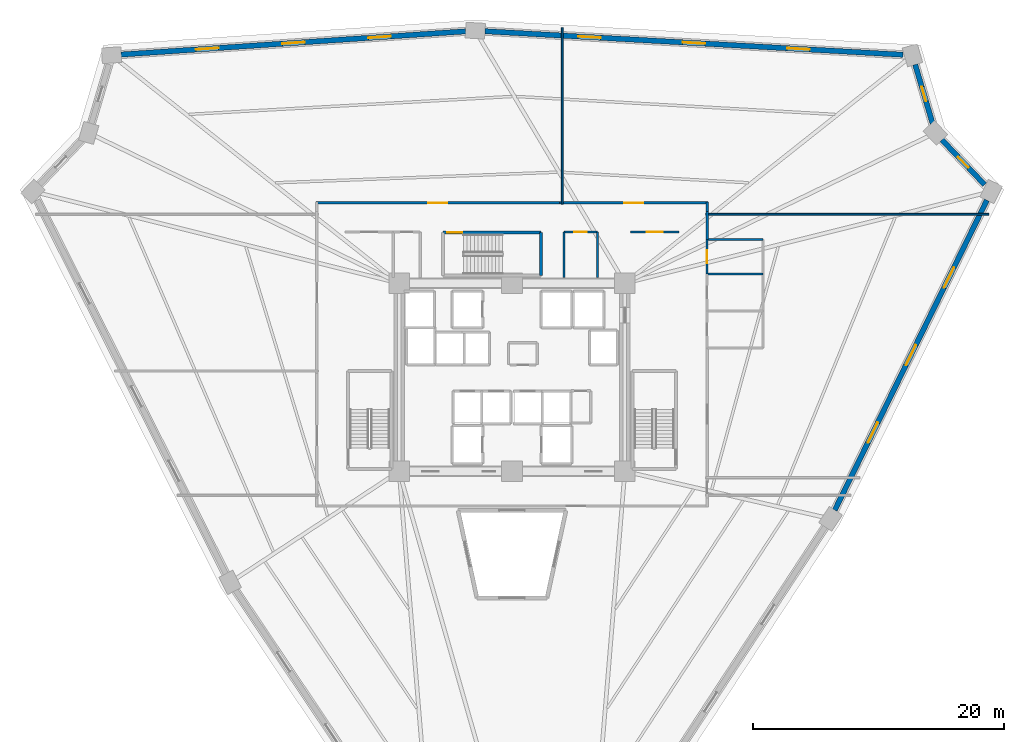
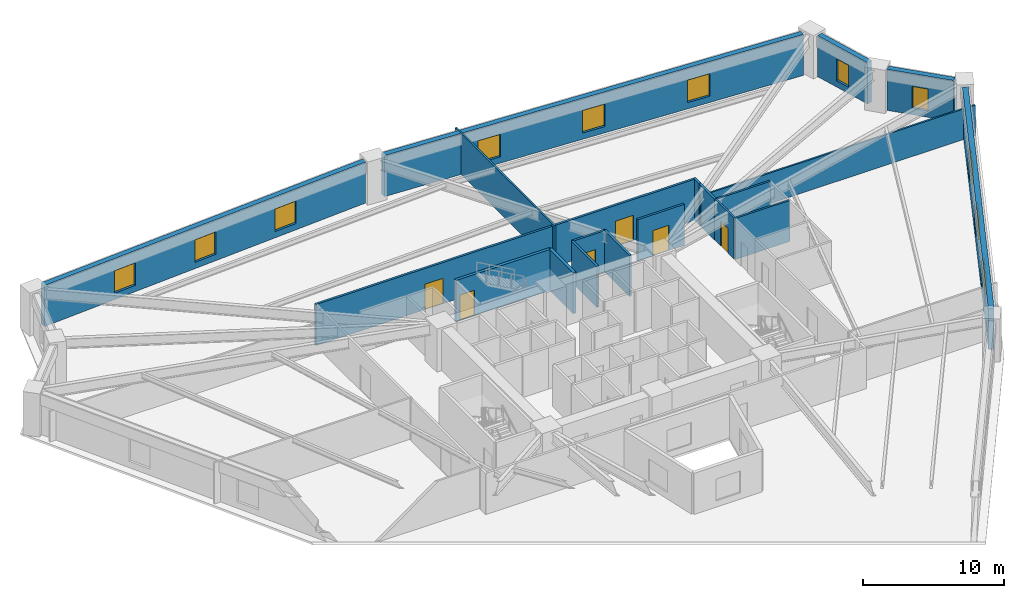
# One storey, part 6 of 8: 20 walls, 11 windows, 6 doors, 17 openings.
"""IFC4 building model written with IfcOpenShell, lengths in metres."""

from ifc_helpers import new_model, si_unit, direction, frame, frame_2d, origin, place, context, subcontext, project, spatial, rectangle, extrude, source, transform, mapped, material, layer, layer_set, type_object, element, fill, save


model = new_model("IFC4")

# Units and contexts
model_context = context("Model", 3, precision=1e-05, world=origin(), true_north=direction((0.0, 1.0)))
body_context = subcontext(model_context, "Body", "Model", "MODEL_VIEW")
ifc_project = project(units=[si_unit("LENGTHUNIT", "METRE"), si_unit("AREAUNIT", "SQUARE_METRE"), si_unit("VOLUMEUNIT", "CUBIC_METRE"), si_unit("PLANEANGLEUNIT", "RADIAN"), si_unit("MASSUNIT", "GRAM", prefix="KILO")], contexts=[model_context])

# Site, building, storey
site_placement = place(None, origin())
site = spatial("IfcSite", under=ifc_project, at=site_placement, CompositionType="ELEMENT")
building_placement = place(site_placement, origin())
building = spatial("IfcBuilding", under=site, at=building_placement, Name="Liaohun Quay Tower", CompositionType="ELEMENT")
storey_placement = place(building_placement, frame((0.0, 0.0, 66.75)))
storey = spatial("IfcBuildingStorey", under=building, at=storey_placement, Name="L17", CompositionType="ELEMENT", Elevation=66.75)

# Wall, openings, windows
ifc_material_1 = material(Name="Precast concrete C50 insulated sandwich", Category="concrete")
ifc_layer_1 = layer(ifc_material_1, 0.419921875, Name="Precast concrete C50 insulated sandwich", Category="concrete")
ifc_layer_set_1 = layer_set([ifc_layer_1], Name="Precast concrete C50 insulated sandwich")
wall_type_1 = type_object("IfcWallType", Name="WAL-EXT-Z12", PredefinedType="SOLIDWALL", material=ifc_layer_set_1)
wall_1_placement = place(storey_placement, frame((85.738037109375, 43.403076171875, 0.0), z_axis=(0.0, 0.0, 1.0), x_axis=(0.440623312768, 0.897692094343, 0.0)))
wall_1 = element("IfcWall", 1, at=wall_1_placement, inside=storey, type_object=wall_type_1, Name="L17 Brutalist Precast Pier Wall 03", PredefinedType="SOLIDWALL", context=body_context, shape_type="SweptSolid", body=[
    extrude(rectangle(XDim=27.538330078125, YDim=0.419921875, at=frame_2d((13.76904296875, 0.0))), origin(), (0.0, 0.0, 1.0), 3.570068359375),
])
shared_shape_1 = source(origin(), body_context, "Body", "SweptSolid", [
    extrude(rectangle(XDim=1.800048828125, YDim=1.949951171875, at=frame_2d((0.89990234375, 0.97509765625))), frame((0.0, 0.219970703125, 0.0), z_axis=(0.0, -1.0, 0.0), x_axis=(1.0, 0.0, 0.0)), (0.0, 0.0, 1.0), 0.43994140625),
])
opening_1_placement = place(wall_1_placement, frame((5.985107421875, 0.0, 0.550048828125)))
opening_1 = element("IfcOpeningElement", 2, at=opening_1_placement, cuts=wall_1, Name="Opening W01", PredefinedType="OPENING", context=body_context, shape_type="MappedRepresentation", body=[
    mapped(shared_shape_1, transform((0.0, 0.0, 0.0), x_axis=(1.0, 0.0, 0.0), y_axis=(0.0, 1.0, 0.0), z_axis=(0.0, 0.0, 1.0), scale=1.0)),
])
opening_2_placement = place(wall_1_placement, frame((12.868896484375, 0.0, 0.550048828125)))
opening_2 = element("IfcOpeningElement", 3, at=opening_2_placement, cuts=wall_1, Name="Opening W01", PredefinedType="OPENING", context=body_context, shape_type="MappedRepresentation", body=[
    mapped(shared_shape_1, transform((0.0, 0.0, 0.0), x_axis=(1.0, 0.0, 0.0), y_axis=(0.0, 1.0, 0.0), z_axis=(0.0, 0.0, 1.0), scale=1.0)),
])
opening_3_placement = place(wall_1_placement, frame((19.75390625, 0.0, 0.550048828125)))
opening_3 = element("IfcOpeningElement", 4, at=opening_3_placement, cuts=wall_1, Name="Opening W01", PredefinedType="OPENING", context=body_context, shape_type="MappedRepresentation", body=[
    mapped(shared_shape_1, transform((0.0, 0.0, 0.0), x_axis=(1.0, 0.0, 0.0), y_axis=(0.0, 1.0, 0.0), z_axis=(0.0, 0.0, 1.0), scale=1.0)),
])
ifc_material_2 = material(Name="Triple Low-E argon glazing in thermally broken aluminium", Category="aluminium")
window_type_1 = type_object("IfcWindowType", Name="WIN-PUN-Z1", PartitioningType="DOUBLE_PANEL_VERTICAL", PredefinedType="WINDOW", material=ifc_material_2)
shared_shape_2 = source(origin(), body_context, "Body", "SweptSolid", [
    extrude(rectangle(XDim=1.800048828125, YDim=1.949951171875, at=frame_2d((0.89990234375, 0.97509765625))), frame((0.0, 0.030029296875, 0.0), z_axis=(0.0, -1.0, 0.0), x_axis=(1.0, 0.0, 0.0)), (0.0, 0.0, 1.0), 0.06005859375),
])
window_1_placement = place(opening_1_placement, origin())
window_1 = element("IfcWindow", 5, at=window_1_placement, inside=storey, type_object=window_type_1, Name="L17 Recessed Cold-Climate Punched Window 03-1", OverallHeight=1.949951171875, OverallWidth=1.800048828125, PartitioningType="DOUBLE_PANEL_VERTICAL", PredefinedType="WINDOW", context=body_context, shape_type="MappedRepresentation", body=[
    mapped(shared_shape_2, transform((0.0, 0.0, 0.0), x_axis=(1.0, 0.0, 0.0), y_axis=(0.0, 1.0, 0.0), z_axis=(0.0, 0.0, 1.0), scale=1.0)),
])
fill(opening_1, window_1)
window_2_placement = place(opening_2_placement, origin())
window_2 = element("IfcWindow", 6, at=window_2_placement, inside=storey, type_object=window_type_1, Name="L17 Recessed Cold-Climate Punched Window 03-2", OverallHeight=1.949951171875, OverallWidth=1.800048828125, PartitioningType="DOUBLE_PANEL_VERTICAL", PredefinedType="WINDOW", context=body_context, shape_type="MappedRepresentation", body=[
    mapped(shared_shape_2, transform((0.0, 0.0, 0.0), x_axis=(1.0, 0.0, 0.0), y_axis=(0.0, 1.0, 0.0), z_axis=(0.0, 0.0, 1.0), scale=1.0)),
])
fill(opening_2, window_2)
window_3_placement = place(opening_3_placement, origin())
window_3 = element("IfcWindow", 7, at=window_3_placement, inside=storey, type_object=window_type_1, Name="L17 Recessed Cold-Climate Punched Window 03-3", OverallHeight=1.949951171875, OverallWidth=1.800048828125, PartitioningType="DOUBLE_PANEL_VERTICAL", PredefinedType="WINDOW", context=body_context, shape_type="MappedRepresentation", body=[
    mapped(shared_shape_2, transform((0.0, 0.0, 0.0), x_axis=(1.0, 0.0, 0.0), y_axis=(0.0, 1.0, 0.0), z_axis=(0.0, 0.0, 1.0), scale=1.0)),
])
fill(opening_3, window_3)

# Wall, opening, window
wall_2_placement = place(storey_placement, frame((97.681884765625, 69.364990234375, 0.0), z_axis=(0.0, 0.0, 1.0), x_axis=(-0.689227085511, 0.724545391675, 0.0)))
wall_2 = element("IfcWall", 8, at=wall_2_placement, inside=storey, type_object=wall_type_1, Name="L17 Brutalist Precast Pier Wall 04", PredefinedType="SOLIDWALL", context=body_context, shape_type="SweptSolid", body=[
    extrude(rectangle(XDim=4.9287109375, YDim=0.419921875, at=frame_2d((2.46435546875, 0.0))), origin(), (0.0, 0.0, 1.0), 3.570068359375),
])
shared_shape_3 = source(origin(), body_context, "Body", "SweptSolid", [
    extrude(rectangle(XDim=1.199951171875, YDim=1.89990234375, at=frame_2d((0.60009765625, 0.949951171875))), frame((0.0, 0.219970703125, 0.0), z_axis=(0.0, -1.0, 0.0), x_axis=(1.0, 0.0, 0.0)), (0.0, 0.0, 1.0), 0.43994140625),
])
opening_4_placement = place(wall_2_placement, frame((1.864013671875, 0.0, 0.550048828125)))
opening_4 = element("IfcOpeningElement", 9, at=opening_4_placement, cuts=wall_2, Name="Opening W05", PredefinedType="OPENING", context=body_context, shape_type="MappedRepresentation", body=[
    mapped(shared_shape_3, transform((0.0, 0.0, 0.0), x_axis=(1.0, 0.0, 0.0), y_axis=(0.0, 1.0, 0.0), z_axis=(0.0, 0.0, 1.0), scale=1.0)),
])
ifc_material_3 = material(Name="Triple Low-E corner notch glazing", Category="glass")
window_type_2 = type_object("IfcWindowType", Name="WIN-NOTCH", PartitioningType="SINGLE_PANEL", PredefinedType="WINDOW", material=ifc_material_3)
shared_shape_4 = source(origin(), body_context, "Body", "SweptSolid", [
    extrude(rectangle(XDim=1.199951171875, YDim=1.89990234375, at=frame_2d((0.60009765625, 0.949951171875))), frame((0.0, 0.030029296875, 0.0), z_axis=(0.0, -1.0, 0.0), x_axis=(1.0, 0.0, 0.0)), (0.0, 0.0, 1.0), 0.06005859375),
])
window_4_placement = place(opening_4_placement, origin())
window_4 = element("IfcWindow", 10, at=window_4_placement, inside=storey, type_object=window_type_2, Name="L17 Corner Notch Window W05-04", OverallHeight=1.89990234375, OverallWidth=1.199951171875, PartitioningType="SINGLE_PANEL", PredefinedType="WINDOW", context=body_context, shape_type="MappedRepresentation", body=[
    mapped(shared_shape_4, transform((0.0, 0.0, 0.0), x_axis=(1.0, 0.0, 0.0), y_axis=(0.0, 1.0, 0.0), z_axis=(0.0, 0.0, 1.0), scale=1.0)),
])
fill(opening_4, window_4)

wall_3_placement = place(storey_placement, frame((93.5419921875, 74.22412109375, 0.0), z_axis=(0.0, 0.0, 1.0), x_axis=(-0.282888780921, 0.959152718616, 0.0)))
wall_3 = element("IfcWall", 11, at=wall_3_placement, inside=storey, type_object=wall_type_1, Name="L17 Brutalist Precast Pier Wall 05", PredefinedType="SOLIDWALL", context=body_context, shape_type="SweptSolid", body=[
    extrude(rectangle(XDim=4.9208984375, YDim=0.419921875, at=frame_2d((2.46044921875, 0.0))), origin(), (0.0, 0.0, 1.0), 3.570068359375),
])
opening_5_placement = place(wall_3_placement, frame((1.860107421875, 0.0, 0.550048828125)))
opening_5 = element("IfcOpeningElement", 12, at=opening_5_placement, cuts=wall_3, Name="Opening W05", PredefinedType="OPENING", context=body_context, shape_type="MappedRepresentation", body=[
    mapped(shared_shape_3, transform((0.0, 0.0, 0.0), x_axis=(1.0, 0.0, 0.0), y_axis=(0.0, 1.0, 0.0), z_axis=(0.0, 0.0, 1.0), scale=1.0)),
])
window_5_placement = place(opening_5_placement, origin())
window_5 = element("IfcWindow", 13, at=window_5_placement, inside=storey, type_object=window_type_2, Name="L17 Corner Notch Window W05-05", OverallHeight=1.89990234375, OverallWidth=1.199951171875, PartitioningType="SINGLE_PANEL", PredefinedType="WINDOW", context=body_context, shape_type="MappedRepresentation", body=[
    mapped(shared_shape_4, transform((0.0, 0.0, 0.0), x_axis=(1.0, 0.0, 0.0), y_axis=(0.0, 1.0, 0.0), z_axis=(0.0, 0.0, 1.0), scale=1.0)),
])
fill(opening_5, window_5)

# Wall, openings, windows
wall_4_placement = place(storey_placement, frame((91.169921875, 79.720947265625, 0.0), z_axis=(0.0, 0.0, 1.0), x_axis=(-0.998420041746, 0.056190926675, 0.0)))
wall_4 = element("IfcWall", 14, at=wall_4_placement, inside=storey, type_object=wall_type_1, Name="L17 Brutalist Precast Pier Wall 06", PredefinedType="SOLIDWALL", context=body_context, shape_type="SweptSolid", body=[
    extrude(rectangle(XDim=33.3857421875, YDim=0.419921875, at=frame_2d((16.69287109375, 0.0))), origin(), (0.0, 0.0, 1.0), 3.570068359375),
])
opening_6_placement = place(wall_4_placement, frame((7.446044921875, 0.0, 0.550048828125)))
opening_6 = element("IfcOpeningElement", 15, at=opening_6_placement, cuts=wall_4, Name="Opening W01", PredefinedType="OPENING", context=body_context, shape_type="MappedRepresentation", body=[
    mapped(shared_shape_1, transform((0.0, 0.0, 0.0), x_axis=(1.0, 0.0, 0.0), y_axis=(0.0, 1.0, 0.0), z_axis=(0.0, 0.0, 1.0), scale=1.0)),
])
opening_7_placement = place(wall_4_placement, frame((15.79296875, 0.0, 0.550048828125)))
opening_7 = element("IfcOpeningElement", 16, at=opening_7_placement, cuts=wall_4, Name="Opening W01", PredefinedType="OPENING", context=body_context, shape_type="MappedRepresentation", body=[
    mapped(shared_shape_1, transform((0.0, 0.0, 0.0), x_axis=(1.0, 0.0, 0.0), y_axis=(0.0, 1.0, 0.0), z_axis=(0.0, 0.0, 1.0), scale=1.0)),
])
opening_8_placement = place(wall_4_placement, frame((24.138916015625, 0.0, 0.550048828125)))
opening_8 = element("IfcOpeningElement", 17, at=opening_8_placement, cuts=wall_4, Name="Opening W01", PredefinedType="OPENING", context=body_context, shape_type="MappedRepresentation", body=[
    mapped(shared_shape_1, transform((0.0, 0.0, 0.0), x_axis=(1.0, 0.0, 0.0), y_axis=(0.0, 1.0, 0.0), z_axis=(0.0, 0.0, 1.0), scale=1.0)),
])
window_6_placement = place(opening_6_placement, origin())
window_6 = element("IfcWindow", 18, at=window_6_placement, inside=storey, type_object=window_type_1, Name="L17 Recessed Cold-Climate Punched Window 06-1", OverallHeight=1.949951171875, OverallWidth=1.800048828125, PartitioningType="DOUBLE_PANEL_VERTICAL", PredefinedType="WINDOW", context=body_context, shape_type="MappedRepresentation", body=[
    mapped(shared_shape_2, transform((0.0, 0.0, 0.0), x_axis=(1.0, 0.0, 0.0), y_axis=(0.0, 1.0, 0.0), z_axis=(0.0, 0.0, 1.0), scale=1.0)),
])
fill(opening_6, window_6)
window_7_placement = place(opening_7_placement, origin())
window_7 = element("IfcWindow", 19, at=window_7_placement, inside=storey, type_object=window_type_1, Name="L17 Recessed Cold-Climate Punched Window 06-2", OverallHeight=1.949951171875, OverallWidth=1.800048828125, PartitioningType="DOUBLE_PANEL_VERTICAL", PredefinedType="WINDOW", context=body_context, shape_type="MappedRepresentation", body=[
    mapped(shared_shape_2, transform((0.0, 0.0, 0.0), x_axis=(1.0, 0.0, 0.0), y_axis=(0.0, 1.0, 0.0), z_axis=(0.0, 0.0, 1.0), scale=1.0)),
])
fill(opening_7, window_7)
window_8_placement = place(opening_8_placement, origin())
window_8 = element("IfcWindow", 20, at=window_8_placement, inside=storey, type_object=window_type_1, Name="L17 Recessed Cold-Climate Punched Window 06-3", OverallHeight=1.949951171875, OverallWidth=1.800048828125, PartitioningType="DOUBLE_PANEL_VERTICAL", PredefinedType="WINDOW", context=body_context, shape_type="MappedRepresentation", body=[
    mapped(shared_shape_2, transform((0.0, 0.0, 0.0), x_axis=(1.0, 0.0, 0.0), y_axis=(0.0, 1.0, 0.0), z_axis=(0.0, 0.0, 1.0), scale=1.0)),
])
fill(opening_8, window_8)

wall_5_placement = place(storey_placement, frame((56.31005859375, 81.589111328125, 0.0), z_axis=(0.0, 0.0, 1.0), x_axis=(-0.997734032959, -0.067281494306, 0.0)))
wall_5 = element("IfcWall", 21, at=wall_5_placement, inside=storey, type_object=wall_type_1, Name="L17 Brutalist Precast Pier Wall 07", PredefinedType="SOLIDWALL", context=body_context, shape_type="SweptSolid", body=[
    extrude(rectangle(XDim=27.54150390625, YDim=0.419921875, at=frame_2d((13.770751953125, 0.0))), origin(), (0.0, 0.0, 1.0), 3.570068359375),
])
opening_9_placement = place(wall_5_placement, frame((5.985107421875, 0.0, 0.550048828125)))
opening_9 = element("IfcOpeningElement", 22, at=opening_9_placement, cuts=wall_5, Name="Opening W01", PredefinedType="OPENING", context=body_context, shape_type="MappedRepresentation", body=[
    mapped(shared_shape_1, transform((0.0, 0.0, 0.0), x_axis=(1.0, 0.0, 0.0), y_axis=(0.0, 1.0, 0.0), z_axis=(0.0, 0.0, 1.0), scale=1.0)),
])
opening_10_placement = place(wall_5_placement, frame((12.87109375, 0.0, 0.550048828125)))
opening_10 = element("IfcOpeningElement", 23, at=opening_10_placement, cuts=wall_5, Name="Opening W01", PredefinedType="OPENING", context=body_context, shape_type="MappedRepresentation", body=[
    mapped(shared_shape_1, transform((0.0, 0.0, 0.0), x_axis=(1.0, 0.0, 0.0), y_axis=(0.0, 1.0, 0.0), z_axis=(0.0, 0.0, 1.0), scale=1.0)),
])
opening_11_placement = place(wall_5_placement, frame((19.756103515625, 0.0, 0.550048828125)))
opening_11 = element("IfcOpeningElement", 24, at=opening_11_placement, cuts=wall_5, Name="Opening W01", PredefinedType="OPENING", context=body_context, shape_type="MappedRepresentation", body=[
    mapped(shared_shape_1, transform((0.0, 0.0, 0.0), x_axis=(1.0, 0.0, 0.0), y_axis=(0.0, 1.0, 0.0), z_axis=(0.0, 0.0, 1.0), scale=1.0)),
])
window_9_placement = place(opening_9_placement, origin())
window_9 = element("IfcWindow", 25, at=window_9_placement, inside=storey, type_object=window_type_1, Name="L17 Recessed Cold-Climate Punched Window 07-1", OverallHeight=1.949951171875, OverallWidth=1.800048828125, PartitioningType="DOUBLE_PANEL_VERTICAL", PredefinedType="WINDOW", context=body_context, shape_type="MappedRepresentation", body=[
    mapped(shared_shape_2, transform((0.0, 0.0, 0.0), x_axis=(1.0, 0.0, 0.0), y_axis=(0.0, 1.0, 0.0), z_axis=(0.0, 0.0, 1.0), scale=1.0)),
])
fill(opening_9, window_9)
window_10_placement = place(opening_10_placement, origin())
window_10 = element("IfcWindow", 26, at=window_10_placement, inside=storey, type_object=window_type_1, Name="L17 Recessed Cold-Climate Punched Window 07-2", OverallHeight=1.949951171875, OverallWidth=1.800048828125, PartitioningType="DOUBLE_PANEL_VERTICAL", PredefinedType="WINDOW", context=body_context, shape_type="MappedRepresentation", body=[
    mapped(shared_shape_2, transform((0.0, 0.0, 0.0), x_axis=(1.0, 0.0, 0.0), y_axis=(0.0, 1.0, 0.0), z_axis=(0.0, 0.0, 1.0), scale=1.0)),
])
fill(opening_10, window_10)
window_11_placement = place(opening_11_placement, origin())
window_11 = element("IfcWindow", 27, at=window_11_placement, inside=storey, type_object=window_type_1, Name="L17 Recessed Cold-Climate Punched Window 07-3", OverallHeight=1.949951171875, OverallWidth=1.800048828125, PartitioningType="DOUBLE_PANEL_VERTICAL", PredefinedType="WINDOW", context=body_context, shape_type="MappedRepresentation", body=[
    mapped(shared_shape_2, transform((0.0, 0.0, 0.0), x_axis=(1.0, 0.0, 0.0), y_axis=(0.0, 1.0, 0.0), z_axis=(0.0, 0.0, 1.0), scale=1.0)),
])
fill(opening_11, window_11)

# Wall, opening, door
ifc_material_4 = material(Name="Autoclaved aerated concrete blockwork", Category="masonry")
ifc_layer_2 = layer(ifc_material_4, 0.179931640625, Name="Autoclaved aerated concrete blockwork", Category="masonry")
ifc_layer_set_2 = layer_set([ifc_layer_2], Name="Autoclaved aerated concrete blockwork")
wall_type_2 = type_object("IfcWallType", Name="WAL-PRT-COR", PredefinedType="PARTITIONING", material=ifc_layer_set_2)
wall_6_placement = place(storey_placement, frame((64.139892578125, 65.580078125, 0.0), z_axis=(0.0, 0.0, 1.0), x_axis=(1.0, 0.0, 0.0)))
wall_6 = element("IfcWall", 28, at=wall_6_placement, inside=storey, type_object=wall_type_2, Name="L17 Interior Partition Wall 007", PredefinedType="PARTITIONING", context=body_context, shape_type="SweptSolid", body=[
    extrude(rectangle(XDim=2.670166015625, YDim=0.179931640625, at=frame_2d((1.3349609375, 0.0))), origin(), (0.0, 0.0, 1.0), 3.570068359375),
])
shared_shape_5 = source(origin(), body_context, "Body", "SweptSolid", [
    extrude(rectangle(XDim=1.0, YDim=2.199951171875, at=frame_2d((0.5, 1.10009765625))), frame((0.0, 0.099853515625, 0.0), z_axis=(0.0, -1.0, 0.0), x_axis=(1.0, 0.0, 0.0)), (0.0, 0.0, 1.0), 0.199951171875),
])
opening_12_placement = place(wall_6_placement, frame((0.8349609375, 0.0, 0.0)))
opening_12 = element("IfcOpeningElement", 29, at=opening_12_placement, cuts=wall_6, Name="Opening OD1", PredefinedType="OPENING", context=body_context, shape_type="MappedRepresentation", body=[
    mapped(shared_shape_5, transform((0.0, 0.0, 0.0), x_axis=(1.0, 0.0, 0.0), y_axis=(0.0, 1.0, 0.0), z_axis=(0.0, 0.0, 1.0), scale=1.0)),
])
ifc_material_5 = material(Name="Solid-core oak veneer timber leaf in steel frame", Category="steel")
door_type_1 = type_object("IfcDoorType", Name="DOR-OFF-1000", OperationType="NOTDEFINED", PredefinedType="DOOR", material=ifc_material_5)
shared_shape_6 = source(origin(), body_context, "Body", "SweptSolid", [
    extrude(rectangle(XDim=1.0, YDim=2.199951171875, at=frame_2d((0.5, 1.10009765625))), frame((0.0, 0.02490234375, 0.0), z_axis=(0.0, -1.0, 0.0), x_axis=(1.0, 0.0, 0.0)), (0.0, 0.0, 1.0), 0.050048828125),
])
door_1_placement = place(opening_12_placement, origin())
door_1 = element("IfcDoor", 30, at=door_1_placement, inside=storey, type_object=door_type_1, Name="L17 North-East Server Closet Door", OperationType="SINGLE_SWING_LEFT", OverallHeight=2.199951171875, OverallWidth=1.0, PredefinedType="DOOR", context=body_context, shape_type="MappedRepresentation", body=[
    mapped(shared_shape_6, transform((0.0, 0.0, 0.0), x_axis=(1.0, 0.0, 0.0), y_axis=(0.0, 1.0, 0.0), z_axis=(0.0, 0.0, 1.0), scale=1.0)),
])
fill(opening_12, door_1)

wall_7_placement = place(storey_placement, frame((69.4599609375, 65.580078125, 0.0), z_axis=(0.0, 0.0, 1.0), x_axis=(1.0, 0.0, 0.0)))
wall_7 = element("IfcWall", 31, at=wall_7_placement, inside=storey, type_object=wall_type_2, Name="L17 Interior Partition Wall 009", PredefinedType="PARTITIONING", context=body_context, shape_type="SweptSolid", body=[
    extrude(rectangle(XDim=3.840087890625, YDim=0.179931640625, at=frame_2d((1.919921875, 0.0))), origin(), (0.0, 0.0, 1.0), 3.570068359375),
])
shared_shape_7 = source(origin(), body_context, "Body", "SweptSolid", [
    extrude(rectangle(XDim=1.300048828125, YDim=2.199951171875, at=frame_2d((0.64990234375, 1.10009765625))), frame((0.0, 0.099853515625, 0.0), z_axis=(0.0, -1.0, 0.0), x_axis=(1.0, 0.0, 0.0)), (0.0, 0.0, 1.0), 0.199951171875),
])
opening_13_placement = place(wall_7_placement, frame((1.27001953125, 0.0, 0.0)))
opening_13 = element("IfcOpeningElement", 32, at=opening_13_placement, cuts=wall_7, Name="Opening FD1", PredefinedType="OPENING", context=body_context, shape_type="MappedRepresentation", body=[
    mapped(shared_shape_7, transform((0.0, 0.0, 0.0), x_axis=(1.0, 0.0, 0.0), y_axis=(0.0, 1.0, 0.0), z_axis=(0.0, 0.0, 1.0), scale=1.0)),
])
ifc_material_6 = material(Name="Galvanised steel smokeproof fire door", Category="steel")
door_type_2 = type_object("IfcDoorType", Name="DOR-FFL-1300", OperationType="NOTDEFINED", PredefinedType="DOOR", material=ifc_material_6)
shared_shape_8 = source(origin(), body_context, "Body", "SweptSolid", [
    extrude(rectangle(XDim=1.300048828125, YDim=2.199951171875, at=frame_2d((0.64990234375, 1.10009765625))), frame((0.0, 0.02490234375, 0.0), z_axis=(0.0, -1.0, 0.0), x_axis=(1.0, 0.0, 0.0)), (0.0, 0.0, 1.0), 0.050048828125),
])
door_2_placement = place(opening_13_placement, origin())
door_2 = element("IfcDoor", 33, at=door_2_placement, inside=storey, type_object=door_type_2, Name="L17 East Core Vestibule Door", OperationType="SINGLE_SWING_LEFT", OverallHeight=2.199951171875, OverallWidth=1.300048828125, PredefinedType="DOOR", context=body_context, shape_type="MappedRepresentation", body=[
    mapped(shared_shape_8, transform((0.0, 0.0, 0.0), x_axis=(1.0, 0.0, 0.0), y_axis=(0.0, 1.0, 0.0), z_axis=(0.0, 0.0, 1.0), scale=1.0)),
])
fill(opening_13, door_2)

wall_8_placement = place(storey_placement, frame((63.784912109375, 67.909912109375, 0.0), z_axis=(0.0, 0.0, 1.0), x_axis=(1.0, 0.0, 0.0)))
wall_8 = element("IfcWall", 34, at=wall_8_placement, inside=storey, type_object=wall_type_2, Name="L17 Interior Partition Wall 011", PredefinedType="PARTITIONING", context=body_context, shape_type="SweptSolid", body=[
    extrude(rectangle(XDim=11.844970703125, YDim=0.179931640625, at=frame_2d((5.92236328125, 0.0))), origin(), (0.0, 0.0, 1.0), 3.570068359375),
])
shared_shape_9 = source(origin(), body_context, "Body", "SweptSolid", [
    extrude(rectangle(XDim=1.5, YDim=2.199951171875, at=frame_2d((0.75, 1.10009765625))), frame((0.0, 0.099853515625, 0.0), z_axis=(0.0, -1.0, 0.0), x_axis=(1.0, 0.0, 0.0)), (0.0, 0.0, 1.0), 0.199951171875),
])
opening_14_placement = place(wall_8_placement, frame((5.172119140625, 0.0, 0.0)))
opening_14 = element("IfcOpeningElement", 35, at=opening_14_placement, cuts=wall_8, Name="Opening OD2", PredefinedType="OPENING", context=body_context, shape_type="MappedRepresentation", body=[
    mapped(shared_shape_9, transform((0.0, 0.0, 0.0), x_axis=(1.0, 0.0, 0.0), y_axis=(0.0, 1.0, 0.0), z_axis=(0.0, 0.0, 1.0), scale=1.0)),
])
ifc_material_7 = material(Name="Acoustic oak veneer double door")
door_type_3 = type_object("IfcDoorType", Name="DOR-OFF-1500", OperationType="DOUBLE_DOOR_SINGLE_SWING", PredefinedType="DOOR", material=ifc_material_7)
shared_shape_10 = source(origin(), body_context, "Body", "SweptSolid", [
    extrude(rectangle(XDim=1.5, YDim=2.199951171875, at=frame_2d((0.75, 1.10009765625))), frame((0.0, 0.02490234375, 0.0), z_axis=(0.0, -1.0, 0.0), x_axis=(1.0, 0.0, 0.0)), (0.0, 0.0, 1.0), 0.050048828125),
])
door_3_placement = place(opening_14_placement, origin())
door_3 = element("IfcDoor", 36, at=door_3_placement, inside=storey, type_object=door_type_3, Name="L17 Engineering Model Workshop 02 Door", OperationType="DOUBLE_DOOR_SINGLE_SWING", OverallHeight=2.199951171875, OverallWidth=1.5, PredefinedType="DOOR", context=body_context, shape_type="MappedRepresentation", body=[
    mapped(shared_shape_10, transform((0.0, 0.0, 0.0), x_axis=(1.0, 0.0, 0.0), y_axis=(0.0, 1.0, 0.0), z_axis=(0.0, 0.0, 1.0), scale=1.0)),
])
fill(opening_14, door_3)

wall_9_placement = place(storey_placement, frame((44.3701171875, 67.909912109375, 0.0), z_axis=(0.0, 0.0, 1.0), x_axis=(1.0, 0.0, 0.0)))
wall_9 = element("IfcWall", 37, at=wall_9_placement, inside=storey, type_object=wall_type_2, Name="L17 Interior Partition Wall 012", PredefinedType="PARTITIONING", context=body_context, shape_type="SweptSolid", body=[
    extrude(rectangle(XDim=19.414794921875, YDim=0.179931640625, at=frame_2d((9.70751953125, 0.0))), origin(), (0.0, 0.0, 1.0), 3.570068359375),
])
opening_15_placement = place(wall_9_placement, frame((8.95703125, 0.0, 0.0)))
opening_15 = element("IfcOpeningElement", 38, at=opening_15_placement, cuts=wall_9, Name="Opening OD2", PredefinedType="OPENING", context=body_context, shape_type="MappedRepresentation", body=[
    mapped(shared_shape_9, transform((0.0, 0.0, 0.0), x_axis=(1.0, 0.0, 0.0), y_axis=(0.0, 1.0, 0.0), z_axis=(0.0, 0.0, 1.0), scale=1.0)),
])
door_4_placement = place(opening_15_placement, origin())
door_4 = element("IfcDoor", 39, at=door_4_placement, inside=storey, type_object=door_type_3, Name="L17 Architectural Design Studio 03 Door", OperationType="DOUBLE_DOOR_SINGLE_SWING", OverallHeight=2.199951171875, OverallWidth=1.5, PredefinedType="DOOR", context=body_context, shape_type="MappedRepresentation", body=[
    mapped(shared_shape_10, transform((0.0, 0.0, 0.0), x_axis=(1.0, 0.0, 0.0), y_axis=(0.0, 1.0, 0.0), z_axis=(0.0, 0.0, 1.0), scale=1.0)),
])
fill(opening_15, door_4)

# Walls
for number, where, z_axis, x_axis, name in (
    (40, (64.139892578125, 61.949951171875, 0.0), (0.0, 0.0, 1.0), (0.0, 1.0, 0.0), "L17 Interior Partition Wall 029"),
    (41, (66.81005859375, 61.949951171875, 0.0), (0.0, 0.0, 1.0), (0.0, 1.0, 0.0), "L17 Interior Partition Wall 030"),
):
    element("IfcWall", number, at=place(storey_placement, frame(where, z_axis=z_axis, x_axis=x_axis)), inside=storey, type_object=wall_type_2, Name=name, PredefinedType="PARTITIONING", context=body_context, shape_type="SweptSolid", body=[
        extrude(rectangle(XDim=3.630126953125, YDim=0.179931640625, at=frame_2d((1.81494140625, 0.0))), origin(), (0.0, 0.0, 1.0), 3.570068359375),
    ])
wall_10_placement = place(storey_placement, frame((75.56005859375, 67.215087890625, 0.0), z_axis=(0.0, 0.0, 1.0), x_axis=(0.0, -1.0, 0.0)))
element("IfcWall", 42, at=wall_10_placement, inside=storey, type_object=wall_type_2, Name="L17 Interior Partition Wall 031", PredefinedType="PARTITIONING", context=body_context, shape_type="SweptSolid", body=[
    extrude(rectangle(XDim=2.235107421875, YDim=0.179931640625, at=frame_2d((1.11767578125, 0.0))), origin(), (0.0, 0.0, 1.0), 3.570068359375),
])
wall_11_placement = place(storey_placement, frame((75.56005859375, 67.97998046875, 0.0), z_axis=(0.0, 0.0, 1.0), x_axis=(0.0, -1.0, 0.0)))
element("IfcWall", 43, at=wall_11_placement, inside=storey, type_object=wall_type_2, Name="L17 Interior Partition Wall 032", PredefinedType="PARTITIONING", context=body_context, shape_type="SweptSolid", body=[
    extrude(rectangle(XDim=0.764892578125, YDim=0.179931640625, at=frame_2d((0.38232421875, 0.0))), origin(), (0.0, 0.0, 1.0), 3.570068359375),
])
ifc_material_8 = material(Name="Gypsum board on twin steel studs", Category="steel")
ifc_layer_3 = layer(ifc_material_8, 0.139892578125, Name="Gypsum board on twin steel studs", Category="steel")
ifc_layer_set_3 = layer_set([ifc_layer_3], Name="Gypsum board on twin steel studs")
wall_type_3 = type_object("IfcWallType", Name="WAL-PRT-OFF", PredefinedType="PARTITIONING", material=ifc_layer_set_3)
wall_12_placement = place(storey_placement, frame((75.4599609375, 67.0, 0.0), z_axis=(0.0, 0.0, 1.0), x_axis=(1.0, 0.0, 0.0)))
element("IfcWall", 44, at=wall_12_placement, inside=storey, type_object=wall_type_3, Name="L17 Interior Partition Wall 041", PredefinedType="PARTITIONING", context=body_context, shape_type="SweptSolid", body=[
    extrude(rectangle(XDim=22.56201171875, YDim=0.139892578125, at=frame_2d((11.281005859375, 0.0))), origin(), (0.0, 0.0, 1.0), 2.655029296875),
])
wall_13_placement = place(storey_placement, frame((64.0, 67.81005859375, 0.0), z_axis=(0.0, 0.0, 1.0), x_axis=(0.0, 1.0, 0.0)))
element("IfcWall", 45, at=wall_13_placement, inside=storey, type_object=wall_type_3, Name="L17 Interior Partition Wall 042", PredefinedType="PARTITIONING", context=body_context, shape_type="SweptSolid", body=[
    extrude(rectangle(XDim=14.071044921875, YDim=0.139892578125, at=frame_2d((7.03564453125, 0.0))), origin(), (0.0, 0.0, 1.0), 3.570068359375),
])

# Wall, opening, door
ifc_material_9 = material(Name="Moisture-resistant masonry blockwork", Category="masonry")
ifc_layer_4 = layer(ifc_material_9, 0.159912109375, Name="Moisture-resistant masonry blockwork", Category="masonry")
ifc_layer_set_4 = layer_set([ifc_layer_4], Name="Moisture-resistant masonry blockwork")
wall_type_4 = type_object("IfcWallType", Name="WAL-PRT-WET", PredefinedType="PARTITIONING", material=ifc_layer_set_4)
wall_14_placement = place(storey_placement, frame((75.56005859375, 62.239990234375, 0.0), z_axis=(0.0, 0.0, 1.0), x_axis=(0.0, 1.0, 0.0)))
wall_14 = element("IfcWall", 46, at=wall_14_placement, inside=storey, type_object=wall_type_4, Name="L17 Interior Partition Wall 005", PredefinedType="PARTITIONING", context=body_context, shape_type="SweptSolid", body=[
    extrude(rectangle(XDim=2.739990234375, YDim=0.159912109375, at=frame_2d((1.3701171875, 0.0))), origin(), (0.0, 0.0, 1.0), 3.570068359375),
])
shared_shape_11 = source(origin(), body_context, "Body", "SweptSolid", [
    extrude(rectangle(XDim=1.050048828125, YDim=2.14990234375, at=frame_2d((0.52490234375, 1.074951171875))), frame((0.0, 0.08984375, 0.0), z_axis=(0.0, -1.0, 0.0), x_axis=(1.0, 0.0, 0.0)), (0.0, 0.0, 1.0), 0.179931640625),
])
opening_16_placement = place(wall_14_placement, frame((0.844970703125, 0.0, 0.0)))
opening_16 = element("IfcOpeningElement", 47, at=opening_16_placement, cuts=wall_14, Name="Opening WD2", PredefinedType="OPENING", context=body_context, shape_type="MappedRepresentation", body=[
    mapped(shared_shape_11, transform((0.0, 0.0, 0.0), x_axis=(1.0, 0.0, 0.0), y_axis=(0.0, 1.0, 0.0), z_axis=(0.0, 0.0, 1.0), scale=1.0)),
])
ifc_material_10 = material(Name="Accessible outward-swinging laminate door")
door_type_4 = type_object("IfcDoorType", Name="DOR-AWC-1050", OperationType="NOTDEFINED", PredefinedType="DOOR", material=ifc_material_10)
shared_shape_12 = source(origin(), body_context, "Body", "SweptSolid", [
    extrude(rectangle(XDim=1.050048828125, YDim=2.14990234375, at=frame_2d((0.52490234375, 1.074951171875))), frame((0.0, 0.02490234375, 0.0), z_axis=(0.0, -1.0, 0.0), x_axis=(1.0, 0.0, 0.0)), (0.0, 0.0, 1.0), 0.050048828125),
])
door_5_placement = place(opening_16_placement, origin())
door_5 = element("IfcDoor", 48, at=door_5_placement, inside=storey, type_object=door_type_4, Name="L17 Accessible WC Door", OperationType="SINGLE_SWING_LEFT", OverallHeight=2.14990234375, OverallWidth=1.050048828125, PredefinedType="DOOR", context=body_context, shape_type="MappedRepresentation", body=[
    mapped(shared_shape_12, transform((0.0, 0.0, 0.0), x_axis=(1.0, 0.0, 0.0), y_axis=(0.0, 1.0, 0.0), z_axis=(0.0, 0.0, 1.0), scale=1.0)),
])
fill(opening_16, door_5)

# Walls
for number, where, z_axis, x_axis, name in (
    (49, (75.56005859375, 62.239990234375, 0.0), (0.0, 0.0, 1.0), (1.0, 0.0, 0.0), "L17 Interior Partition Wall 025"),
    (50, (75.56005859375, 64.97998046875, 0.0), (0.0, 0.0, 1.0), (1.0, 0.0, 0.0), "L17 Interior Partition Wall 026"),
):
    element("IfcWall", number, at=place(storey_placement, frame(where, z_axis=z_axis, x_axis=x_axis)), inside=storey, type_object=wall_type_4, Name=name, PredefinedType="PARTITIONING", context=body_context, shape_type="SweptSolid", body=[
        extrude(rectangle(XDim=4.4599609375, YDim=0.159912109375, at=frame_2d((2.22998046875, 0.0))), origin(), (0.0, 0.0, 1.0), 3.570068359375),
    ])
ifc_material_11 = material(Name="Concrete C50", Category="concrete")
ifc_layer_5 = layer(ifc_material_11, 0.239990234375, Name="Concrete C50", Category="concrete")
ifc_layer_set_5 = layer_set([ifc_layer_5], Name="Concrete C50")
wall_type_5 = type_object("IfcWallType", Name="WAL-SHF-200", PredefinedType="SOLIDWALL", material=ifc_layer_set_5)
wall_15_placement = place(storey_placement, frame((62.320068359375, 62.10009765625, 0.0), z_axis=(0.0, 0.0, 1.0), x_axis=(0.0, 1.0, 0.0)))
element("IfcWall", 51, at=wall_15_placement, inside=storey, type_object=wall_type_5, Name="L17 Stairwell ST-3 Structural Core Wall E", PredefinedType="SOLIDWALL", context=body_context, shape_type="SweptSolid", body=[
    extrude(rectangle(XDim=3.43994140625, YDim=0.239990234375, at=frame_2d((1.719970703125, 0.0))), origin(), (0.0, 0.0, 1.0), 3.570068359375),
])

# Wall, opening, door
wall_16_placement = place(storey_placement, frame((62.320068359375, 65.5400390625, 0.0), z_axis=(0.0, 0.0, 1.0), x_axis=(-1.0, 0.0, 0.0)))
wall_16 = element("IfcWall", 52, at=wall_16_placement, inside=storey, type_object=wall_type_5, Name="L17 Stairwell ST-3 Structural Core Wall N", PredefinedType="SOLIDWALL", context=body_context, shape_type="SweptSolid", body=[
    extrude(rectangle(XDim=7.820068359375, YDim=0.239990234375, at=frame_2d((3.91015625, 0.0))), origin(), (0.0, 0.0, 1.0), 3.570068359375),
])
shared_shape_13 = source(origin(), body_context, "Body", "SweptSolid", [
    extrude(rectangle(XDim=1.199951171875, YDim=2.199951171875, at=frame_2d((0.60009765625, 1.10009765625))), frame((0.0, 0.1298828125, 0.0), z_axis=(0.0, -1.0, 0.0), x_axis=(1.0, 0.0, 0.0)), (0.0, 0.0, 1.0), 0.260009765625),
])
opening_17_placement = place(wall_16_placement, frame((6.300048828125, 0.0, 0.0)))
opening_17 = element("IfcOpeningElement", 53, at=opening_17_placement, cuts=wall_16, Name="Opening SD1", PredefinedType="OPENING", context=body_context, shape_type="MappedRepresentation", body=[
    mapped(shared_shape_13, transform((0.0, 0.0, 0.0), x_axis=(1.0, 0.0, 0.0), y_axis=(0.0, 1.0, 0.0), z_axis=(0.0, 0.0, 1.0), scale=1.0)),
])
ifc_material_12 = material(Name="Galvanised steel fire door", Category="steel")
door_type_5 = type_object("IfcDoorType", Name="DOR-STR-1200", OperationType="NOTDEFINED", PredefinedType="DOOR", material=ifc_material_12)
shared_shape_14 = source(origin(), body_context, "Body", "SweptSolid", [
    extrude(rectangle(XDim=1.199951171875, YDim=2.199951171875, at=frame_2d((0.60009765625, 1.10009765625))), frame((0.0, 0.02490234375, 0.0), z_axis=(0.0, -1.0, 0.0), x_axis=(1.0, 0.0, 0.0)), (0.0, 0.0, 1.0), 0.050048828125),
])
door_6_placement = place(opening_17_placement, origin())
door_6 = element("IfcDoor", 54, at=door_6_placement, inside=storey, type_object=door_type_5, Name="L17 Protected Stair ST-3 Fire Door", OperationType="SINGLE_SWING_RIGHT", OverallHeight=2.199951171875, OverallWidth=1.199951171875, PredefinedType="DOOR", context=body_context, shape_type="MappedRepresentation", body=[
    mapped(shared_shape_14, transform((0.0, 0.0, 0.0), x_axis=(1.0, 0.0, 0.0), y_axis=(0.0, 1.0, 0.0), z_axis=(0.0, 0.0, 1.0), scale=1.0)),
])
fill(opening_17, door_6)

save(model, "model.ifc")
